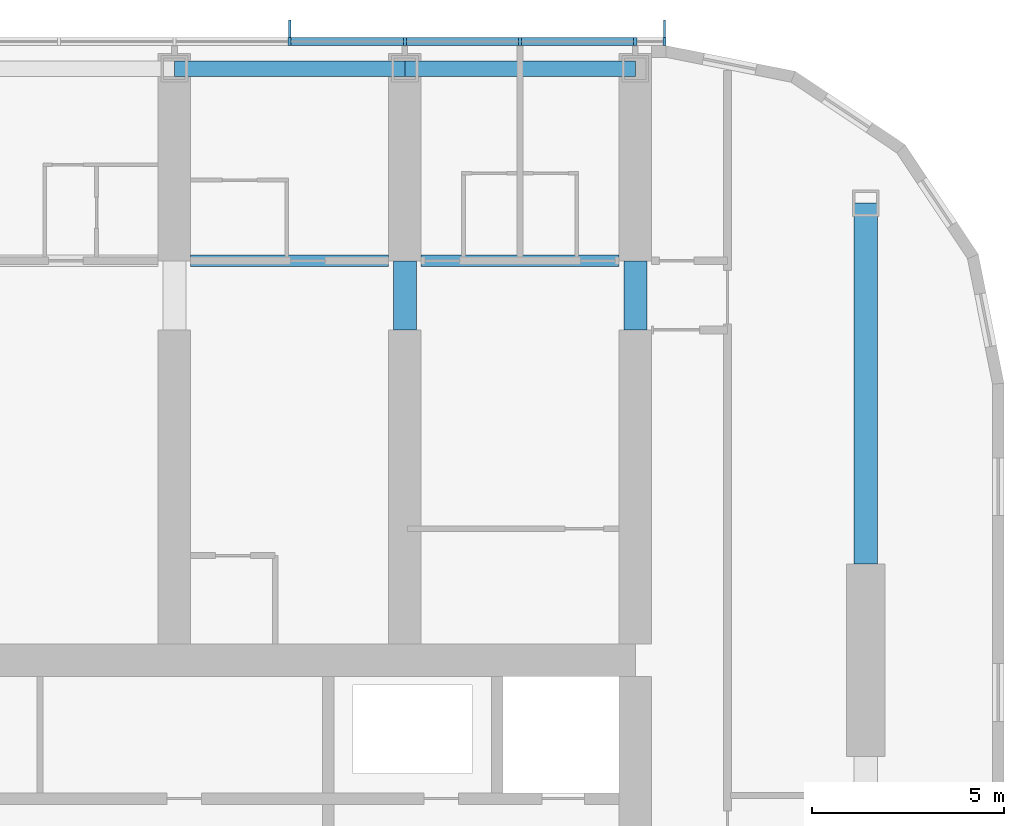
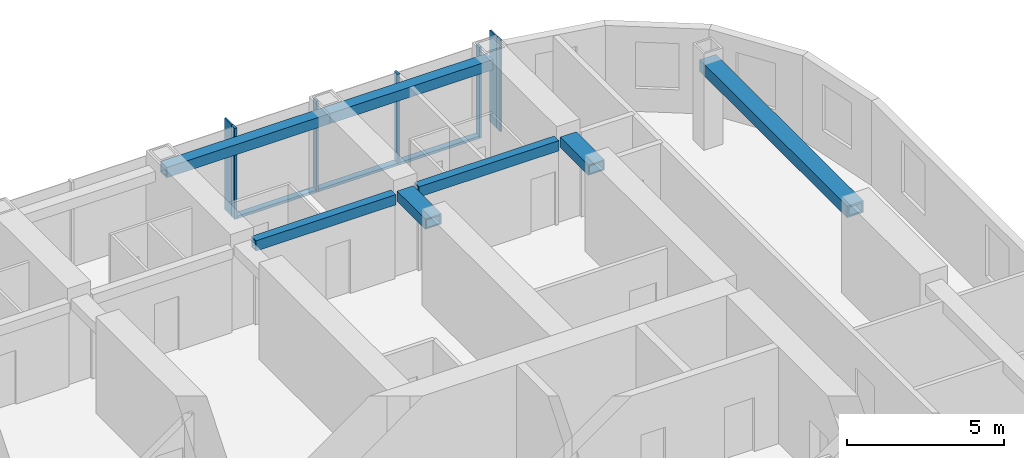
# One storey, part 5 of 22: 10 members, 7 beams, 1 element without a shape of its own.
"""IFC4 building model written with IfcOpenShell, lengths in metres."""

from ifc_helpers import new_model, si_unit, direction, frame, origin, origin_2d, place, context, subcontext, project, spatial, rectangle, hollow_rectangle, extrude, material, material_profile, profile_set, type_object, element, aggregate, save


model = new_model("IFC4")

# Units and contexts
model_context = context("Model", 3, precision=1e-05, world=origin(), true_north=direction((0.0, 1.0)))
body_context = subcontext(model_context, "Body", "Model", "MODEL_VIEW")
ifc_project = project(units=[si_unit("LENGTHUNIT", "METRE"), si_unit("AREAUNIT", "SQUARE_METRE"), si_unit("VOLUMEUNIT", "CUBIC_METRE"), si_unit("PLANEANGLEUNIT", "RADIAN"), si_unit("MASSUNIT", "GRAM", prefix="KILO")], contexts=[model_context])

# Site, building, storey
site_placement = place(None, origin())
site = spatial("IfcSite", under=ifc_project, at=site_placement, CompositionType="ELEMENT")
building_placement = place(site_placement, origin())
building = spatial("IfcBuilding", under=site, at=building_placement, Name="Orbita Commons", CompositionType="ELEMENT")
storey_placement = place(building_placement, frame((0.0, 0.0, 159.85009765625)))
storey = spatial("IfcBuildingStorey", under=building, at=storey_placement, Name="L39", CompositionType="ELEMENT", Elevation=159.85009765625)

# Curtain wall, members
ifc_material_1 = material(Name="Anodised aluminium frame, pale silver", Category="aluminium")
curtain_wall_type = type_object("IfcCurtainWallType", Name="Unitised curtain wall CW-U, full-height vision", PredefinedType="NOTDEFINED", material=ifc_material_1)
curtain_wall_placement = place(storey_placement, origin())
curtain_wall = element("IfcCurtainWall", 1, at=curtain_wall_placement, inside=storey, type_object=curtain_wall_type, Name="Curtain wall north L39", PredefinedType="NOTDEFINED")
ifc_material_2 = material(Name="Anodised aluminium, pale silver", Category="aluminium")
ifc_material_profile_1 = material_profile(ifc_material_2, rectangle(XDim=0.080078125, YDim=0.219970703125, at=origin_2d()), Name="AL 80x220")
ifc_profile_set_1 = profile_set([ifc_material_profile_1], Name="Anodised aluminium, pale silver")
member_type_1 = type_object("IfcMemberType", Name="Curtain wall mullion 80x220", PredefinedType="MULLION", material=ifc_profile_set_1)
member_1_placement = place(storey_placement, frame((66.760009765625, 54.31005859375, -0.25), z_axis=(0.0, 0.0, 1.0), x_axis=(-1.0, 0.0, 0.0)))
member_1 = element("IfcMember", 2, at=member_1_placement, type_object=member_type_1, Name="Mullion 1 CW-L39-N", PredefinedType="MULLION", context=body_context, shape_type="SweptSolid", body=[
    extrude(rectangle(XDim=0.080078125, YDim=0.219970703125, at=origin_2d()), origin(), (0.0, 0.0, 1.0), 3.5498046875),
])
member_2_placement = place(storey_placement, frame((66.0, 54.31005859375, -0.25), z_axis=(0.0, 0.0, 1.0), x_axis=(-1.0, 0.0, 0.0)))
member_2 = element("IfcMember", 3, at=member_2_placement, type_object=member_type_1, Name="Mullion 2 CW-L39-N", PredefinedType="MULLION", context=body_context, shape_type="SweptSolid", body=[
    extrude(rectangle(XDim=0.080078125, YDim=0.219970703125, at=origin_2d()), origin(), (0.0, 0.0, 1.0), 3.5498046875),
])
member_3_placement = place(storey_placement, frame((63.0, 54.31005859375, -0.25), z_axis=(0.0, 0.0, 1.0), x_axis=(-1.0, 0.0, 0.0)))
member_3 = element("IfcMember", 4, at=member_3_placement, type_object=member_type_1, Name="Mullion 3 CW-L39-N", PredefinedType="MULLION", context=body_context, shape_type="SweptSolid", body=[
    extrude(rectangle(XDim=0.080078125, YDim=0.219970703125, at=origin_2d()), origin(), (0.0, 0.0, 1.0), 3.5498046875),
])
member_4_placement = place(storey_placement, frame((60.0, 54.31005859375, -0.25), z_axis=(0.0, 0.0, 1.0), x_axis=(-1.0, 0.0, 0.0)))
member_4 = element("IfcMember", 5, at=member_4_placement, type_object=member_type_1, Name="Mullion 4 CW-L39-N", PredefinedType="MULLION", context=body_context, shape_type="SweptSolid", body=[
    extrude(rectangle(XDim=0.080078125, YDim=0.219970703125, at=origin_2d()), origin(), (0.0, 0.0, 1.0), 3.5498046875),
])
member_5_placement = place(storey_placement, frame((57.0, 54.31005859375, -0.25), z_axis=(0.0, 0.0, 1.0), x_axis=(-1.0, 0.0, 0.0)))
member_5 = element("IfcMember", 6, at=member_5_placement, type_object=member_type_1, Name="Mullion 5 CW-L39-N", PredefinedType="MULLION", context=body_context, shape_type="SweptSolid", body=[
    extrude(rectangle(XDim=0.080078125, YDim=0.219970703125, at=origin_2d()), origin(), (0.0, 0.0, 1.0), 3.5498046875),
])
ifc_material_3 = material(Name="Anodised aluminium, pale silver", Category="aluminium")
ifc_material_profile_2 = material_profile(ifc_material_3, rectangle(XDim=0.219970703125, YDim=0.10009765625, at=origin_2d()), Name="AL 220x100")
ifc_profile_set_2 = profile_set([ifc_material_profile_2], Name="Anodised aluminium, pale silver")
member_type_2 = type_object("IfcMemberType", Name="Curtain wall stack transom 220x100", PredefinedType="USERDEFINED", material=ifc_profile_set_2)
member_6_placement = place(storey_placement, frame((65.9599609375, 54.31005859375, -0.2001953125), z_axis=(-1.0, 0.0, 0.0), x_axis=(0.0, -1.0, 0.0)))
member_6 = element("IfcMember", 7, at=member_6_placement, type_object=member_type_2, Name="Transom 2.1 CW-L39-N", ObjectType="TRANSOM", PredefinedType="USERDEFINED", context=body_context, shape_type="SweptSolid", body=[
    extrude(rectangle(XDim=0.219970703125, YDim=0.10009765625, at=origin_2d()), origin(), (0.0, 0.0, 1.0), 2.919921875),
])
member_7_placement = place(storey_placement, frame((62.9599609375, 54.31005859375, -0.2001953125), z_axis=(-1.0, 0.0, 0.0), x_axis=(0.0, -1.0, 0.0)))
member_7 = element("IfcMember", 8, at=member_7_placement, type_object=member_type_2, Name="Transom 3.1 CW-L39-N", ObjectType="TRANSOM", PredefinedType="USERDEFINED", context=body_context, shape_type="SweptSolid", body=[
    extrude(rectangle(XDim=0.219970703125, YDim=0.10009765625, at=origin_2d()), origin(), (0.0, 0.0, 1.0), 2.919921875),
])
member_8_placement = place(storey_placement, frame((59.9599609375, 54.31005859375, -0.2001953125), z_axis=(-1.0, 0.0, 0.0), x_axis=(0.0, -1.0, 0.0)))
member_8 = element("IfcMember", 9, at=member_8_placement, type_object=member_type_2, Name="Transom 4.1 CW-L39-N", ObjectType="TRANSOM", PredefinedType="USERDEFINED", context=body_context, shape_type="SweptSolid", body=[
    extrude(rectangle(XDim=0.219970703125, YDim=0.10009765625, at=origin_2d()), origin(), (0.0, 0.0, 1.0), 2.919921875),
])

# Beams
ifc_material_4 = material(Name="Steel ASTM A572 Gr 50 welded plate", Category="steel")
ifc_material_profile_3 = material_profile(ifc_material_4, hollow_rectangle(XDim=0.300048828125, YDim=0.39990234375, WallThickness=0.0400390625, at=origin_2d()), Name="BOX 400x300x40")
ifc_profile_set_3 = profile_set([ifc_material_profile_3], Name="Steel ASTM A572 Gr 50 welded plate")
beam_type_1 = type_object("IfcBeamType", Name="Steel corridor link BOX 400x300x40", PredefinedType="BEAM", material=ifc_profile_set_3)
for number, where, z_axis, x_axis, name in (
    (10, (54.425048828125, 48.60009765625, 3.099853515625), (1.0, 0.0, 0.0), (0.0, 1.0, 0.0), "Corridor beam NB 10-11 L39"),
    (11, (60.425048828125, 48.60009765625, 3.099853515625), (1.0, 0.0, 0.0), (0.0, 1.0, 0.0), "Corridor beam NB 11-12 L39"),
):
    element("IfcBeam", number, at=place(storey_placement, frame(where, z_axis=z_axis, x_axis=x_axis)), inside=storey, type_object=beam_type_1, Name=name, PredefinedType="BEAM", context=body_context, shape_type="SweptSolid", body=[
        extrude(hollow_rectangle(XDim=0.300048828125, YDim=0.39990234375, WallThickness=0.0400390625, at=origin_2d()), origin(), (0.0, 0.0, 1.0), 5.14990234375),
    ])
ifc_material_5 = material(Name="Steel ASTM A572 Gr 50 welded plate", Category="steel")
ifc_material_profile_4 = material_profile(ifc_material_5, hollow_rectangle(XDim=0.60009765625, YDim=0.39990234375, WallThickness=0.050048828125, at=origin_2d()), Name="BOX 400x600x50")
ifc_profile_set_4 = profile_set([ifc_material_profile_4], Name="Steel ASTM A572 Gr 50 welded plate")
beam_type_2 = type_object("IfcBeamType", Name="Steel coupling link BOX 400x600x50", PredefinedType="LINTEL", material=ifc_profile_set_4)
for number, where, z_axis, x_axis, name in (
    (12, (60.0, 46.800048828125, 3.099853515625), (0.0, 1.0, 0.0), (-1.0, 0.0, 0.0), "Coupling beam 11 north L39"),
    (13, (66.0, 46.800048828125, 3.099853515625), (0.0, 1.0, 0.0), (-1.0, 0.0, 0.0), "Coupling beam 12 north L39"),
):
    element("IfcBeam", number, at=place(storey_placement, frame(where, z_axis=z_axis, x_axis=x_axis)), inside=storey, type_object=beam_type_2, Name=name, PredefinedType="LINTEL", context=body_context, shape_type="SweptSolid", body=[
        extrude(hollow_rectangle(XDim=0.60009765625, YDim=0.39990234375, WallThickness=0.050048828125, at=origin_2d()), origin(), (0.0, 0.0, 1.0), 1.800048828125),
    ])
ifc_material_6 = material(Name="Steel ASTM A572 Gr 50 welded plate", Category="steel")
ifc_material_profile_5 = material_profile(ifc_material_6, hollow_rectangle(XDim=0.60009765625, YDim=0.449951171875, WallThickness=0.06005859375, at=origin_2d()), Name="BOX 450x600x60")
ifc_profile_set_5 = profile_set([ifc_material_profile_5], Name="Steel ASTM A572 Gr 50 welded plate")
beam_type_3 = type_object("IfcBeamType", Name="Steel end frame link BOX 450x600x60", PredefinedType="BEAM", material=ifc_profile_set_5)
beam_placement = place(storey_placement, frame((72.0, 40.699951171875, 3.074951171875), z_axis=(0.0, 1.0, 0.0), x_axis=(-1.0, 0.0, 0.0)))
element("IfcBeam", 14, at=beam_placement, inside=storey, type_object=beam_type_3, Name="End frame beam 13 D-E L39", PredefinedType="BEAM", context=body_context, shape_type="SweptSolid", body=[
    extrude(hollow_rectangle(XDim=0.60009765625, YDim=0.449951171875, WallThickness=0.06005859375, at=origin_2d()), origin(), (0.0, 0.0, 1.0), 9.400146484375),
])
ifc_material_7 = material(Name="Steel ASTM A572 Gr 50 welded plate", Category="steel")
ifc_material_profile_6 = material_profile(ifc_material_7, hollow_rectangle(XDim=0.39990234375, YDim=0.39990234375, WallThickness=0.0400390625, at=origin_2d()), Name="BOX 400x400x40")
ifc_profile_set_6 = profile_set([ifc_material_profile_6], Name="Steel ASTM A572 Gr 50 welded plate")
beam_type_4 = type_object("IfcBeamType", Name="Steel spandrel BOX 400x400x40", PredefinedType="SPANDREL", material=ifc_profile_set_6)
for number, where, z_axis, x_axis, name in (
    (15, (54.0, 53.60009765625, 3.099853515625), (1.0, 0.0, 0.0), (0.0, 1.0, 0.0), "Spandrel beam E 10-11 L39"),
    (16, (60.0, 53.60009765625, 3.099853515625), (1.0, 0.0, 0.0), (0.0, 1.0, 0.0), "Spandrel beam E 11-12 L39"),
):
    element("IfcBeam", number, at=place(storey_placement, frame(where, z_axis=z_axis, x_axis=x_axis)), inside=storey, type_object=beam_type_4, Name=name, PredefinedType="SPANDREL", context=body_context, shape_type="SweptSolid", body=[
        extrude(hollow_rectangle(XDim=0.39990234375, YDim=0.39990234375, WallThickness=0.0400390625, at=origin_2d()), origin(), (0.0, 0.0, 1.0), 6.0),
    ])

# Member
ifc_material_8 = material(Name="Anodised aluminium, pale silver", Category="aluminium")
ifc_material_profile_7 = material_profile(ifc_material_8, rectangle(XDim=0.06005859375, YDim=0.449951171875, at=origin_2d()), Name="FIN 60x450")
ifc_profile_set_7 = profile_set([ifc_material_profile_7], Name="Anodised aluminium, pale silver")
member_type_3 = type_object("IfcMemberType", Name="Vertical fin 60x450 pale aluminium", PredefinedType="USERDEFINED", material=ifc_profile_set_7)
member_9_placement = place(storey_placement, frame((66.760009765625, 54.64501953125, -0.25), z_axis=(0.0, 0.0, 1.0), x_axis=(-1.0, 0.0, 0.0)))
member_9 = element("IfcMember", 17, at=member_9_placement, type_object=member_type_3, Name="Fin 1 CW-L39-N", ObjectType="FIN", PredefinedType="USERDEFINED", context=body_context, shape_type="SweptSolid", body=[
    extrude(rectangle(XDim=0.06005859375, YDim=0.449951171875, at=origin_2d()), origin(), (0.0, 0.0, 1.0), 3.5498046875),
])

member_10_placement = place(storey_placement, frame((57.0, 54.64501953125, -0.25), z_axis=(0.0, 0.0, 1.0), x_axis=(-1.0, 0.0, 0.0)))
member_10 = element("IfcMember", 18, at=member_10_placement, type_object=member_type_3, Name="Fin 5 CW-L39-N", ObjectType="FIN", PredefinedType="USERDEFINED", context=body_context, shape_type="SweptSolid", body=[
    extrude(rectangle(XDim=0.06005859375, YDim=0.449951171875, at=origin_2d()), origin(), (0.0, 0.0, 1.0), 3.5498046875),
])

aggregate(curtain_wall, [member_1, member_9, member_2, member_3, member_4, member_5, member_10, member_6, member_7, member_8])

save(model, "model.ifc")
